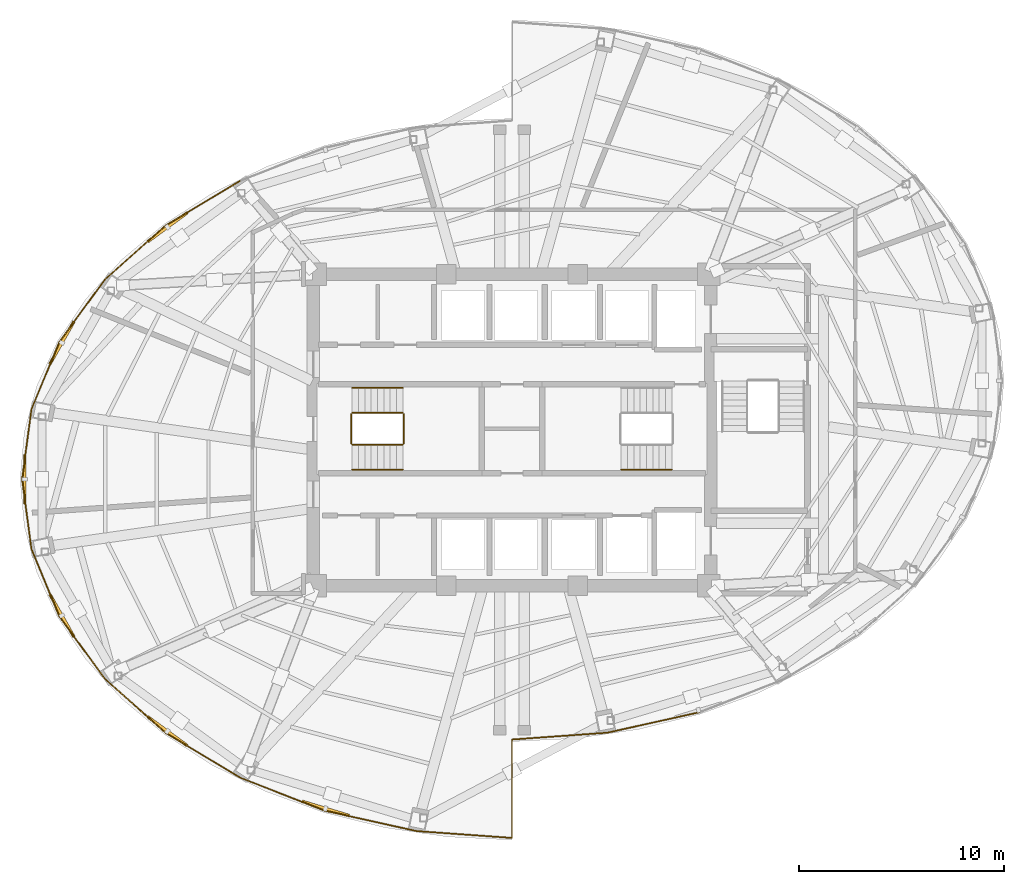
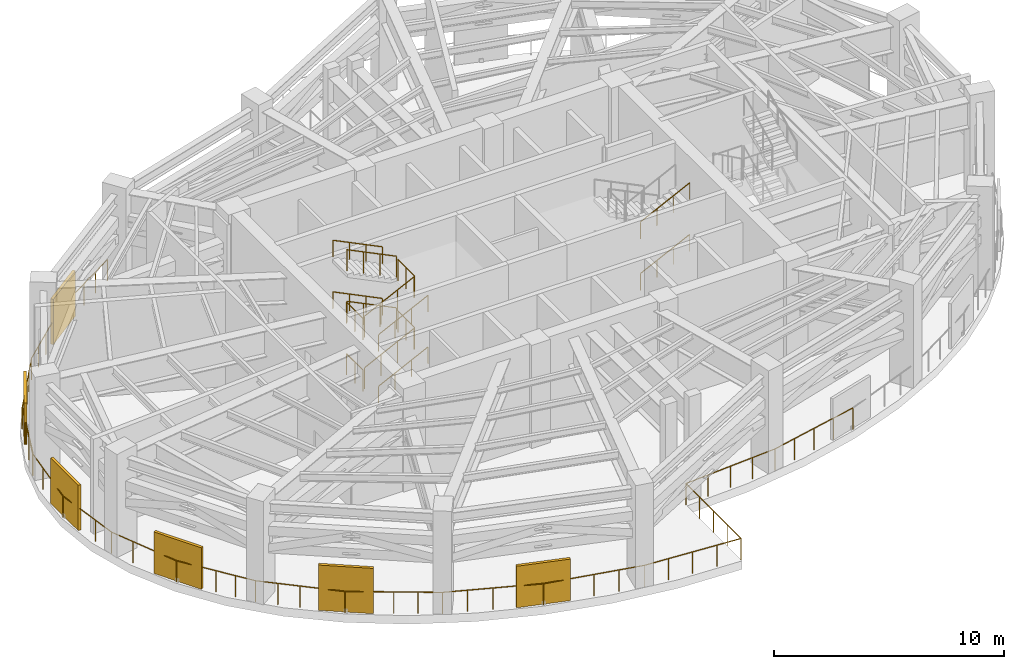
# One storey, part 10 of 12: 30 railings, 6 shading devices.
"""IFC4 building model written with IfcOpenShell, lengths in metres."""

from ifc_helpers import new_model, si_unit, direction, frame, origin, origin_2d, place, context, subcontext, project, spatial, rectangle, circle, extrude, material, type_object, element, save


model = new_model("IFC4")

# Units and contexts
model_context = context("Model", 3, precision=1e-05, world=origin(), true_north=direction((0.0, 1.0)))
body_context = subcontext(model_context, "Body", "Model", "MODEL_VIEW")
ifc_project = project(units=[si_unit("LENGTHUNIT", "METRE"), si_unit("AREAUNIT", "SQUARE_METRE"), si_unit("VOLUMEUNIT", "CUBIC_METRE"), si_unit("PLANEANGLEUNIT", "RADIAN"), si_unit("MASSUNIT", "GRAM", prefix="KILO")], contexts=[model_context])

# Site, building, storey
site_placement = place(None, origin())
site = spatial("IfcSite", under=ifc_project, at=site_placement, CompositionType="ELEMENT")
building_placement = place(site_placement, origin())
building = spatial("IfcBuilding", under=site, at=building_placement, Name="Lazwardi Medical Tower", CompositionType="ELEMENT")
storey_placement = place(building_placement, frame((0.0, 0.0, 189.360107421875)))
storey = spatial("IfcBuildingStorey", under=building, at=storey_placement, Name="L49", CompositionType="ELEMENT", Elevation=189.360107421875)

# Railings
ifc_material_1 = material(Name="Anodised bronze aluminium", Category="aluminium")
railing_type_1 = type_object("IfcRailingType", Name="RLG-BAL-1100", PredefinedType="BALUSTRADE", material=ifc_material_1)
railing_1_placement = place(storey_placement, frame((36.0, 12.89990234375, 0.0)))
element("IfcRailing", 1, at=railing_1_placement, inside=storey, type_object=railing_type_1, Name="L49 Refuge Band Perimeter Balustrade 01", PredefinedType="BALUSTRADE", context=body_context, shape_type="SweptSolid", body=[
    extrude(circle(Radius=0.02392578125, at=origin_2d()), frame((0.0, 0.0, 1.1259765625), z_axis=(0.997407009536, 0.071967057239, 0.0), x_axis=(-0.071967057239, 0.997407009536, 0.0)), (0.0, 0.0, 1.0), 4.6748046875),
    extrude(circle(Radius=0.02099609375, at=origin_2d()), origin(), (0.0, 0.0, 1.0), 1.099853515625),
    extrude(circle(Radius=0.02099609375, at=origin_2d()), frame((1.16552734375, 0.083984375, 0.0)), (0.0, 0.0, 1.0), 1.099853515625),
    extrude(circle(Radius=0.02099609375, at=origin_2d()), frame((2.331298828125, 0.168212890625, 0.0)), (0.0, 0.0, 1.0), 1.099853515625),
    extrude(circle(Radius=0.02099609375, at=origin_2d()), frame((3.4970703125, 0.25244140625, 0.0)), (0.0, 0.0, 1.0), 1.099853515625),
    extrude(circle(Radius=0.02099609375, at=origin_2d()), frame((4.66259765625, 0.33642578125, 0.0)), (0.0, 0.0, 1.0), 1.099853515625),
])
railing_2_placement = place(storey_placement, frame((40.66259765625, 13.236328125, 0.0)))
element("IfcRailing", 2, at=railing_2_placement, inside=storey, type_object=railing_type_1, Name="L49 Refuge Band Perimeter Balustrade 02", PredefinedType="BALUSTRADE", context=body_context, shape_type="SweptSolid", body=[
    extrude(circle(Radius=0.02392578125, at=origin_2d()), frame((0.0, 0.0, 1.1259765625), z_axis=(0.976208319017, 0.216834770925, 0.0), x_axis=(-0.216834770925, 0.976208319017, 0.0)), (0.0, 0.0, 1.0), 4.5927734375),
    extrude(circle(Radius=0.02099609375, at=origin_2d()), origin(), (0.0, 0.0, 1.0), 1.099853515625),
    extrude(circle(Radius=0.02099609375, at=origin_2d()), frame((1.120849609375, 0.2490234375, 0.0)), (0.0, 0.0, 1.0), 1.099853515625),
    extrude(circle(Radius=0.02099609375, at=origin_2d()), frame((2.24169921875, 0.498046875, 0.0)), (0.0, 0.0, 1.0), 1.099853515625),
    extrude(circle(Radius=0.02099609375, at=origin_2d()), frame((3.362548828125, 0.746826171875, 0.0)), (0.0, 0.0, 1.0), 1.099853515625),
    extrude(circle(Radius=0.02099609375, at=origin_2d()), frame((4.4833984375, 0.995849609375, 0.0)), (0.0, 0.0, 1.0), 1.099853515625),
])
railing_3_placement = place(storey_placement, frame((22.721923828125, 40.150634765625, 0.0)))
element("IfcRailing", 3, at=railing_3_placement, inside=storey, type_object=railing_type_1, Name="L49 Refuge Band Perimeter Balustrade 21", PredefinedType="BALUSTRADE", context=body_context, shape_type="SweptSolid", body=[
    extrude(circle(Radius=0.02392578125, at=origin_2d()), frame((0.0, 0.0, 1.1259765625), z_axis=(-0.857161364458, -0.51504795435, 0.0), x_axis=(0.51504795435, -0.857161364458, 0.0)), (0.0, 0.0, 1.0), 4.225341796875),
    extrude(circle(Radius=0.02099609375, at=origin_2d()), origin(), (0.0, 0.0, 1.0), 1.099853515625),
    extrude(circle(Radius=0.02099609375, at=origin_2d()), frame((-0.905517578125, -0.5439453125, 0.0)), (0.0, 0.0, 1.0), 1.099853515625),
    extrude(circle(Radius=0.02099609375, at=origin_2d()), frame((-1.81103515625, -1.088134765625, 0.0)), (0.0, 0.0, 1.0), 1.099853515625),
    extrude(circle(Radius=0.02099609375, at=origin_2d()), frame((-2.71630859375, -1.63232421875, 0.0)), (0.0, 0.0, 1.0), 1.099853515625),
    extrude(circle(Radius=0.02099609375, at=origin_2d()), frame((-3.621826171875, -2.17626953125, 0.0)), (0.0, 0.0, 1.0), 1.099853515625),
])
railing_4_placement = place(storey_placement, frame((19.10009765625, 37.974365234375, 0.0)))
element("IfcRailing", 4, at=railing_4_placement, inside=storey, type_object=railing_type_1, Name="L49 Refuge Band Perimeter Balustrade 22", PredefinedType="BALUSTRADE", context=body_context, shape_type="SweptSolid", body=[
    extrude(circle(Radius=0.02392578125, at=origin_2d()), frame((0.0, 0.0, 1.1259765625), z_axis=(-0.746170343463, -0.665755073985, 0.0), x_axis=(0.665755073985, -0.746170343463, 0.0)), (0.0, 0.0, 1.0), 3.983154296875),
    extrude(circle(Radius=0.02099609375, at=origin_2d()), origin(), (0.0, 0.0, 1.0), 1.099853515625),
    extrude(circle(Radius=0.02099609375, at=origin_2d()), frame((-0.7431640625, -0.6630859375, 0.0)), (0.0, 0.0, 1.0), 1.099853515625),
    extrude(circle(Radius=0.02099609375, at=origin_2d()), frame((-1.486083984375, -1.325927734375, 0.0)), (0.0, 0.0, 1.0), 1.099853515625),
    extrude(circle(Radius=0.02099609375, at=origin_2d()), frame((-2.22900390625, -1.98876953125, 0.0)), (0.0, 0.0, 1.0), 1.099853515625),
    extrude(circle(Radius=0.02099609375, at=origin_2d()), frame((-2.97216796875, -2.65185546875, 0.0)), (0.0, 0.0, 1.0), 1.099853515625),
])
railing_5_placement = place(storey_placement, frame((16.1279296875, 35.322509765625, 0.0)))
element("IfcRailing", 5, at=railing_5_placement, inside=storey, type_object=railing_type_1, Name="L49 Refuge Band Perimeter Balustrade 23", PredefinedType="BALUSTRADE", context=body_context, shape_type="SweptSolid", body=[
    extrude(circle(Radius=0.02392578125, at=origin_2d()), frame((0.0, 0.0, 1.1259765625), z_axis=(-0.589647217937, -0.807660917947, 0.0), x_axis=(0.807660917947, -0.589647217937, 0.0)), (0.0, 0.0, 1.0), 3.745849609375),
    extrude(circle(Radius=0.02099609375, at=origin_2d()), origin(), (0.0, 0.0, 1.0), 1.099853515625),
    extrude(circle(Radius=0.02099609375, at=origin_2d()), frame((-0.55224609375, -0.75634765625, 0.0)), (0.0, 0.0, 1.0), 1.099853515625),
    extrude(circle(Radius=0.02099609375, at=origin_2d()), frame((-1.1044921875, -1.5126953125, 0.0)), (0.0, 0.0, 1.0), 1.099853515625),
    extrude(circle(Radius=0.02099609375, at=origin_2d()), frame((-1.656494140625, -2.26904296875, 0.0)), (0.0, 0.0, 1.0), 1.099853515625),
    extrude(circle(Radius=0.02099609375, at=origin_2d()), frame((-2.208740234375, -3.025390625, 0.0)), (0.0, 0.0, 1.0), 1.099853515625),
])
railing_6_placement = place(storey_placement, frame((13.919189453125, 32.297119140625, 0.0)))
element("IfcRailing", 6, at=railing_6_placement, inside=storey, type_object=railing_type_1, Name="L49 Refuge Band Perimeter Balustrade 24", PredefinedType="BALUSTRADE", context=body_context, shape_type="SweptSolid", body=[
    extrude(circle(Radius=0.02392578125, at=origin_2d()), frame((0.0, 0.0, 1.1259765625), z_axis=(-0.382746191668, -0.923853534259, 0.0), x_axis=(0.923853534259, -0.382746191668, 0.0)), (0.0, 0.0, 1.0), 3.553466796875),
    extrude(circle(Radius=0.02099609375, at=origin_2d()), origin(), (0.0, 0.0, 1.0), 1.099853515625),
    extrude(circle(Radius=0.02099609375, at=origin_2d()), frame((-0.453369140625, -1.09423828125, 0.0)), (0.0, 0.0, 1.0), 1.099853515625),
    extrude(circle(Radius=0.02099609375, at=origin_2d()), frame((-0.90673828125, -2.188720703125, 0.0)), (0.0, 0.0, 1.0), 1.099853515625),
    extrude(circle(Radius=0.02099609375, at=origin_2d()), frame((-1.360107421875, -3.282958984375, 0.0)), (0.0, 0.0, 1.0), 1.099853515625),
])
railing_7_placement = place(storey_placement, frame((12.55908203125, 29.01416015625, 0.0)))
element("IfcRailing", 7, at=railing_7_placement, inside=storey, type_object=railing_type_1, Name="L49 Refuge Band Perimeter Balustrade 25", PredefinedType="BALUSTRADE", context=body_context, shape_type="SweptSolid", body=[
    extrude(circle(Radius=0.02392578125, at=origin_2d()), frame((0.0, 0.0, 1.1259765625), z_axis=(-0.133240659391, -0.991083713258, 0.0), x_axis=(0.991083713258, -0.133240659391, 0.0)), (0.0, 0.0, 1.0), 3.44482421875),
    extrude(circle(Radius=0.02099609375, at=origin_2d()), origin(), (0.0, 0.0, 1.0), 1.099853515625),
    extrude(circle(Radius=0.02099609375, at=origin_2d()), frame((-0.153076171875, -1.137939453125, 0.0)), (0.0, 0.0, 1.0), 1.099853515625),
    extrude(circle(Radius=0.02099609375, at=origin_2d()), frame((-0.305908203125, -2.276123046875, 0.0)), (0.0, 0.0, 1.0), 1.099853515625),
    extrude(circle(Radius=0.02099609375, at=origin_2d()), frame((-0.458984375, -3.4140625, 0.0)), (0.0, 0.0, 1.0), 1.099853515625),
])
railing_8_placement = place(storey_placement, frame((12.10009765625, 25.60009765625, 0.0)))
element("IfcRailing", 8, at=railing_8_placement, inside=storey, type_object=railing_type_1, Name="L49 Refuge Band Perimeter Balustrade 26", PredefinedType="BALUSTRADE", context=body_context, shape_type="SweptSolid", body=[
    extrude(circle(Radius=0.02392578125, at=origin_2d()), frame((0.0, 0.0, 1.1259765625), z_axis=(0.133231301116, -0.991084971333, 0.0), x_axis=(0.991084971333, 0.133231301116, 0.0)), (0.0, 0.0, 1.0), 3.445068359375),
    extrude(circle(Radius=0.02099609375, at=origin_2d()), origin(), (0.0, 0.0, 1.0), 1.099853515625),
    extrude(circle(Radius=0.02099609375, at=origin_2d()), frame((0.153076171875, -1.13818359375, 0.0)), (0.0, 0.0, 1.0), 1.099853515625),
    extrude(circle(Radius=0.02099609375, at=origin_2d()), frame((0.305908203125, -2.276123046875, 0.0)), (0.0, 0.0, 1.0), 1.099853515625),
    extrude(circle(Radius=0.02099609375, at=origin_2d()), frame((0.458984375, -3.414306640625, 0.0)), (0.0, 0.0, 1.0), 1.099853515625),
])
railing_9_placement = place(storey_placement, frame((12.55908203125, 22.185791015625, 0.0)))
element("IfcRailing", 9, at=railing_9_placement, inside=storey, type_object=railing_type_1, Name="L49 Refuge Band Perimeter Balustrade 27", PredefinedType="BALUSTRADE", context=body_context, shape_type="SweptSolid", body=[
    extrude(circle(Radius=0.02392578125, at=origin_2d()), frame((0.0, 0.0, 1.1259765625), z_axis=(0.382770486669, -0.923843468633, 0.0), x_axis=(0.923843468633, 0.382770486669, 0.0)), (0.0, 0.0, 1.0), 3.55322265625),
    extrude(circle(Radius=0.02099609375, at=origin_2d()), origin(), (0.0, 0.0, 1.0), 1.099853515625),
    extrude(circle(Radius=0.02099609375, at=origin_2d()), frame((0.453369140625, -1.09423828125, 0.0)), (0.0, 0.0, 1.0), 1.099853515625),
    extrude(circle(Radius=0.02099609375, at=origin_2d()), frame((0.90673828125, -2.1884765625, 0.0)), (0.0, 0.0, 1.0), 1.099853515625),
    extrude(circle(Radius=0.02099609375, at=origin_2d()), frame((1.360107421875, -3.28271484375, 0.0)), (0.0, 0.0, 1.0), 1.099853515625),
])
railing_10_placement = place(storey_placement, frame((13.919189453125, 18.903076171875, 0.0)))
element("IfcRailing", 10, at=railing_10_placement, inside=storey, type_object=railing_type_1, Name="L49 Refuge Band Perimeter Balustrade 28", PredefinedType="BALUSTRADE", context=body_context, shape_type="SweptSolid", body=[
    extrude(circle(Radius=0.02392578125, at=origin_2d()), frame((0.0, 0.0, 1.1259765625), z_axis=(0.589616180045, -0.807683576798, 0.0), x_axis=(0.807683576798, 0.589616180045, 0.0)), (0.0, 0.0, 1.0), 3.74609375),
    extrude(circle(Radius=0.02099609375, at=origin_2d()), origin(), (0.0, 0.0, 1.0), 1.099853515625),
    extrude(circle(Radius=0.02099609375, at=origin_2d()), frame((0.55224609375, -0.75634765625, 0.0)), (0.0, 0.0, 1.0), 1.099853515625),
    extrude(circle(Radius=0.02099609375, at=origin_2d()), frame((1.1044921875, -1.5126953125, 0.0)), (0.0, 0.0, 1.0), 1.099853515625),
    extrude(circle(Radius=0.02099609375, at=origin_2d()), frame((1.656494140625, -2.269287109375, 0.0)), (0.0, 0.0, 1.0), 1.099853515625),
    extrude(circle(Radius=0.02099609375, at=origin_2d()), frame((2.208740234375, -3.025634765625, 0.0)), (0.0, 0.0, 1.0), 1.099853515625),
])
railing_11_placement = place(storey_placement, frame((16.1279296875, 15.87744140625, 0.0)))
element("IfcRailing", 11, at=railing_11_placement, inside=storey, type_object=railing_type_1, Name="L49 Refuge Band Perimeter Balustrade 29", PredefinedType="BALUSTRADE", context=body_context, shape_type="SweptSolid", body=[
    extrude(circle(Radius=0.02392578125, at=origin_2d()), frame((0.0, 0.0, 1.1259765625), z_axis=(0.746170343463, -0.665755073985, 0.0), x_axis=(0.665755073985, 0.746170343463, 0.0)), (0.0, 0.0, 1.0), 3.983154296875),
    extrude(circle(Radius=0.02099609375, at=origin_2d()), origin(), (0.0, 0.0, 1.0), 1.099853515625),
    extrude(circle(Radius=0.02099609375, at=origin_2d()), frame((0.7431640625, -0.6630859375, 0.0)), (0.0, 0.0, 1.0), 1.099853515625),
    extrude(circle(Radius=0.02099609375, at=origin_2d()), frame((1.486083984375, -1.325927734375, 0.0)), (0.0, 0.0, 1.0), 1.099853515625),
    extrude(circle(Radius=0.02099609375, at=origin_2d()), frame((2.22900390625, -1.98876953125, 0.0)), (0.0, 0.0, 1.0), 1.099853515625),
    extrude(circle(Radius=0.02099609375, at=origin_2d()), frame((2.97216796875, -2.65185546875, 0.0)), (0.0, 0.0, 1.0), 1.099853515625),
])
railing_12_placement = place(storey_placement, frame((19.10009765625, 13.2255859375, 0.0)))
element("IfcRailing", 12, at=railing_12_placement, inside=storey, type_object=railing_type_1, Name="L49 Refuge Band Perimeter Balustrade 30", PredefinedType="BALUSTRADE", context=body_context, shape_type="SweptSolid", body=[
    extrude(circle(Radius=0.02392578125, at=origin_2d()), frame((0.0, 0.0, 1.1259765625), z_axis=(0.857161364458, -0.51504795435, 0.0), x_axis=(0.51504795435, 0.857161364458, 0.0)), (0.0, 0.0, 1.0), 4.225341796875),
    extrude(circle(Radius=0.02099609375, at=origin_2d()), origin(), (0.0, 0.0, 1.0), 1.099853515625),
    extrude(circle(Radius=0.02099609375, at=origin_2d()), frame((0.905517578125, -0.5439453125, 0.0)), (0.0, 0.0, 1.0), 1.099853515625),
    extrude(circle(Radius=0.02099609375, at=origin_2d()), frame((1.81103515625, -1.088134765625, 0.0)), (0.0, 0.0, 1.0), 1.099853515625),
    extrude(circle(Radius=0.02099609375, at=origin_2d()), frame((2.71630859375, -1.63232421875, 0.0)), (0.0, 0.0, 1.0), 1.099853515625),
    extrude(circle(Radius=0.02099609375, at=origin_2d()), frame((3.621826171875, -2.17626953125, 0.0)), (0.0, 0.0, 1.0), 1.099853515625),
])
railing_13_placement = place(storey_placement, frame((22.721923828125, 11.04931640625, 0.0)))
element("IfcRailing", 13, at=railing_13_placement, inside=storey, type_object=railing_type_1, Name="L49 Refuge Band Perimeter Balustrade 31", PredefinedType="BALUSTRADE", context=body_context, shape_type="SweptSolid", body=[
    extrude(circle(Radius=0.02392578125, at=origin_2d()), frame((0.0, 0.0, 1.1259765625), z_axis=(0.931220860045, -0.364455360528, 0.0), x_axis=(0.364455360528, 0.931220860045, 0.0)), (0.0, 0.0, 1.0), 4.437255859375),
    extrude(circle(Radius=0.02099609375, at=origin_2d()), origin(), (0.0, 0.0, 1.0), 1.099853515625),
    extrude(circle(Radius=0.02099609375, at=origin_2d()), frame((1.032958984375, -0.404296875, 0.0)), (0.0, 0.0, 1.0), 1.099853515625),
    extrude(circle(Radius=0.02099609375, at=origin_2d()), frame((2.06591796875, -0.80859375, 0.0)), (0.0, 0.0, 1.0), 1.099853515625),
    extrude(circle(Radius=0.02099609375, at=origin_2d()), frame((3.09912109375, -1.212890625, 0.0)), (0.0, 0.0, 1.0), 1.099853515625),
    extrude(circle(Radius=0.02099609375, at=origin_2d()), frame((4.132080078125, -1.6171875, 0.0)), (0.0, 0.0, 1.0), 1.099853515625),
])
railing_14_placement = place(storey_placement, frame((26.85400390625, 9.43212890625, 0.0)))
element("IfcRailing", 14, at=railing_14_placement, inside=storey, type_object=railing_type_1, Name="L49 Refuge Band Perimeter Balustrade 32", PredefinedType="BALUSTRADE", context=body_context, shape_type="SweptSolid", body=[
    extrude(circle(Radius=0.02392578125, at=origin_2d()), frame((0.0, 0.0, 1.1259765625), z_axis=(0.976208319017, -0.216834770925, 0.0), x_axis=(0.216834770925, 0.976208319017, 0.0)), (0.0, 0.0, 1.0), 4.5927734375),
    extrude(circle(Radius=0.02099609375, at=origin_2d()), origin(), (0.0, 0.0, 1.0), 1.099853515625),
    extrude(circle(Radius=0.02099609375, at=origin_2d()), frame((1.120849609375, -0.2490234375, 0.0)), (0.0, 0.0, 1.0), 1.099853515625),
    extrude(circle(Radius=0.02099609375, at=origin_2d()), frame((2.24169921875, -0.498046875, 0.0)), (0.0, 0.0, 1.0), 1.099853515625),
    extrude(circle(Radius=0.02099609375, at=origin_2d()), frame((3.362548828125, -0.746826171875, 0.0)), (0.0, 0.0, 1.0), 1.099853515625),
    extrude(circle(Radius=0.02099609375, at=origin_2d()), frame((4.4833984375, -0.995849609375, 0.0)), (0.0, 0.0, 1.0), 1.099853515625),
])
railing_15_placement = place(storey_placement, frame((31.33740234375, 8.436279296875, 0.0)))
element("IfcRailing", 15, at=railing_15_placement, inside=storey, type_object=railing_type_1, Name="L49 Refuge Band Perimeter Balustrade 33", PredefinedType="BALUSTRADE", context=body_context, shape_type="SweptSolid", body=[
    extrude(circle(Radius=0.02392578125, at=origin_2d()), frame((0.0, 0.0, 1.1259765625), z_axis=(0.997410756984, -0.071915101705, 0.0), x_axis=(0.071915101705, 0.997410756984, 0.0)), (0.0, 0.0, 1.0), 4.6748046875),
    extrude(circle(Radius=0.02099609375, at=origin_2d()), origin(), (0.0, 0.0, 1.0), 1.099853515625),
    extrude(circle(Radius=0.02099609375, at=origin_2d()), frame((1.16552734375, -0.083984375, 0.0)), (0.0, 0.0, 1.0), 1.099853515625),
    extrude(circle(Radius=0.02099609375, at=origin_2d()), frame((2.331298828125, -0.16796875, 0.0)), (0.0, 0.0, 1.0), 1.099853515625),
    extrude(circle(Radius=0.02099609375, at=origin_2d()), frame((3.4970703125, -0.252197265625, 0.0)), (0.0, 0.0, 1.0), 1.099853515625),
    extrude(circle(Radius=0.02099609375, at=origin_2d()), frame((4.66259765625, -0.336181640625, 0.0)), (0.0, 0.0, 1.0), 1.099853515625),
])
railing_16_placement = place(storey_placement, frame((36.0, 8.10009765625, 0.0)))
element("IfcRailing", 16, at=railing_16_placement, inside=storey, type_object=railing_type_1, Name="L49 Refuge Band Perimeter Balustrade 34", PredefinedType="BALUSTRADE", context=body_context, shape_type="SweptSolid", body=[
    extrude(circle(Radius=0.02392578125, at=origin_2d()), frame((0.0, 0.0, 1.1259765625), z_axis=(0.0, 1.0, 0.0), x_axis=(-1.0, 0.0, 0.0)), (0.0, 0.0, 1.0), 4.7998046875),
    extrude(circle(Radius=0.02099609375, at=origin_2d()), origin(), (0.0, 0.0, 1.0), 1.099853515625),
    extrude(circle(Radius=0.02099609375, at=origin_2d()), frame((0.0, 1.199951171875, 0.0)), (0.0, 0.0, 1.0), 1.099853515625),
    extrude(circle(Radius=0.02099609375, at=origin_2d()), frame((0.0, 2.39990234375, 0.0)), (0.0, 0.0, 1.0), 1.099853515625),
    extrude(circle(Radius=0.02099609375, at=origin_2d()), frame((0.0, 3.599853515625, 0.0)), (0.0, 0.0, 1.0), 1.099853515625),
    extrude(circle(Radius=0.02099609375, at=origin_2d()), frame((0.0, 4.7998046875, 0.0)), (0.0, 0.0, 1.0), 1.099853515625),
])
ifc_material_2 = material(Name="Stainless steel Grade 316", Category="steel")
railing_type_2 = type_object("IfcRailingType", Name="RLG-GRD-1150", PredefinedType="GUARDRAIL", material=ifc_material_2)
railing_17_placement = place(storey_placement, frame((28.199951171875, 27.2900390625, 0.15185546875)))
element("IfcRailing", 17, at=railing_17_placement, inside=storey, type_object=railing_type_2, Name="L49 ST1 stair guard 1", PredefinedType="GUARDRAIL", context=body_context, shape_type="SweptSolid", body=[
    extrude(circle(Radius=0.02392578125, at=origin_2d()), frame((0.0, 0.0, 1.1259765625), z_axis=(0.897865232124, 0.0, 0.440270399804), x_axis=(0.0, 1.0, 0.0)), (0.0, 0.0, 1.0), 2.76220703125),
    extrude(circle(Radius=0.02099609375, at=origin_2d()), origin(), (0.0, 0.0, 1.0), 1.099853515625),
    extrude(circle(Radius=0.02099609375, at=origin_2d()), frame((0.82666015625, 0.0, 0.4052734375)), (0.0, 0.0, 1.0), 1.099853515625),
    extrude(circle(Radius=0.02099609375, at=origin_2d()), frame((1.6533203125, 0.0, 0.810791015625)), (0.0, 0.0, 1.0), 1.099853515625),
    extrude(circle(Radius=0.02099609375, at=origin_2d()), frame((2.47998046875, 0.0, 1.216064453125)), (0.0, 0.0, 1.0), 1.099853515625),
])
railing_18_placement = place(storey_placement, frame((30.72998046875, 27.340087890625, 1.367919921875)))
element("IfcRailing", 18, at=railing_18_placement, inside=storey, type_object=railing_type_2, Name="L49 ST1 stair guard 2", PredefinedType="GUARDRAIL", context=body_context, shape_type="SweptSolid", body=[
    extrude(circle(Radius=0.02392578125, at=origin_2d()), frame((0.0, 0.0, 1.1259765625), z_axis=(0.0, 1.0, 0.0), x_axis=(-1.0, 0.0, 0.0)), (0.0, 0.0, 1.0), 1.43994140625),
    extrude(circle(Radius=0.02099609375, at=origin_2d()), origin(), (0.0, 0.0, 1.0), 1.099853515625),
    extrude(circle(Radius=0.02099609375, at=origin_2d()), frame((0.0, 0.719970703125, 0.0)), (0.0, 0.0, 1.0), 1.099853515625),
    extrude(circle(Radius=0.02099609375, at=origin_2d()), frame((0.0, 1.43994140625, 0.0)), (0.0, 0.0, 1.0), 1.099853515625),
])
railing_19_placement = place(storey_placement, frame((30.679931640625, 28.830078125, 1.519775390625)))
element("IfcRailing", 19, at=railing_19_placement, inside=storey, type_object=railing_type_2, Name="L49 ST1 stair guard 3", PredefinedType="GUARDRAIL", context=body_context, shape_type="SweptSolid", body=[
    extrude(circle(Radius=0.02392578125, at=origin_2d()), frame((0.0, 0.0, 1.1259765625), z_axis=(-0.897865232124, 0.0, 0.440270399804), x_axis=(0.0, -1.0, 0.0)), (0.0, 0.0, 1.0), 2.76220703125),
    extrude(circle(Radius=0.02099609375, at=origin_2d()), origin(), (0.0, 0.0, 1.0), 1.099853515625),
    extrude(circle(Radius=0.02099609375, at=origin_2d()), frame((-0.82666015625, 0.0, 0.4052734375)), (0.0, 0.0, 1.0), 1.099853515625),
    extrude(circle(Radius=0.02099609375, at=origin_2d()), frame((-1.6533203125, 0.0, 0.810791015625)), (0.0, 0.0, 1.0), 1.099853515625),
    extrude(circle(Radius=0.02099609375, at=origin_2d()), frame((-2.47998046875, 0.0, 1.216064453125)), (0.0, 0.0, 1.0), 1.099853515625),
])
railing_20_placement = place(storey_placement, frame((28.14990234375, 27.340087890625, 2.73583984375)))
element("IfcRailing", 20, at=railing_20_placement, inside=storey, type_object=railing_type_2, Name="L49 ST1 stair guard 4", PredefinedType="GUARDRAIL", context=body_context, shape_type="SweptSolid", body=[
    extrude(circle(Radius=0.02392578125, at=origin_2d()), frame((0.0, 0.0, 1.1259765625), z_axis=(0.0, 1.0, 0.0), x_axis=(-1.0, 0.0, 0.0)), (0.0, 0.0, 1.0), 1.43994140625),
    extrude(circle(Radius=0.02099609375, at=origin_2d()), origin(), (0.0, 0.0, 1.0), 1.099853515625),
    extrude(circle(Radius=0.02099609375, at=origin_2d()), frame((0.0, 0.719970703125, 0.0)), (0.0, 0.0, 1.0), 1.099853515625),
    extrude(circle(Radius=0.02099609375, at=origin_2d()), frame((0.0, 1.43994140625, 0.0)), (0.0, 0.0, 1.0), 1.099853515625),
])
railing_21_placement = place(storey_placement, frame((28.199951171875, 27.2900390625, 2.887939453125)))
element("IfcRailing", 21, at=railing_21_placement, inside=storey, type_object=railing_type_2, Name="L49 ST1 stair guard 5", PredefinedType="GUARDRAIL", context=body_context, shape_type="SweptSolid", body=[
    extrude(circle(Radius=0.02392578125, at=origin_2d()), frame((0.0, 0.0, 1.1259765625), z_axis=(0.897865232124, 0.0, 0.440270399804), x_axis=(0.0, 1.0, 0.0)), (0.0, 0.0, 1.0), 2.76220703125),
    extrude(circle(Radius=0.02099609375, at=origin_2d()), origin(), (0.0, 0.0, 1.0), 1.099853515625),
    extrude(circle(Radius=0.02099609375, at=origin_2d()), frame((0.82666015625, 0.0, 0.4052734375)), (0.0, 0.0, 1.0), 1.099853515625),
    extrude(circle(Radius=0.02099609375, at=origin_2d()), frame((1.6533203125, 0.0, 0.810791015625)), (0.0, 0.0, 1.0), 1.099853515625),
    extrude(circle(Radius=0.02099609375, at=origin_2d()), frame((2.47998046875, 0.0, 1.216064453125)), (0.0, 0.0, 1.0), 1.099853515625),
])
railing_22_placement = place(storey_placement, frame((30.72998046875, 27.340087890625, 4.10400390625)))
element("IfcRailing", 22, at=railing_22_placement, inside=storey, type_object=railing_type_2, Name="L49 ST1 stair guard 6", PredefinedType="GUARDRAIL", context=body_context, shape_type="SweptSolid", body=[
    extrude(circle(Radius=0.02392578125, at=origin_2d()), frame((0.0, 0.0, 1.1259765625), z_axis=(0.0, 1.0, 0.0), x_axis=(-1.0, 0.0, 0.0)), (0.0, 0.0, 1.0), 1.43994140625),
    extrude(circle(Radius=0.02099609375, at=origin_2d()), origin(), (0.0, 0.0, 1.0), 1.099853515625),
    extrude(circle(Radius=0.02099609375, at=origin_2d()), frame((0.0, 0.719970703125, 0.0)), (0.0, 0.0, 1.0), 1.099853515625),
    extrude(circle(Radius=0.02099609375, at=origin_2d()), frame((0.0, 1.43994140625, 0.0)), (0.0, 0.0, 1.0), 1.099853515625),
])
railing_23_placement = place(storey_placement, frame((30.679931640625, 28.830078125, 4.255859375)))
element("IfcRailing", 23, at=railing_23_placement, inside=storey, type_object=railing_type_2, Name="L49 ST1 stair guard 7", PredefinedType="GUARDRAIL", context=body_context, shape_type="SweptSolid", body=[
    extrude(circle(Radius=0.02392578125, at=origin_2d()), frame((0.0, 0.0, 1.1259765625), z_axis=(-0.897865232124, 0.0, 0.440270399804), x_axis=(0.0, -1.0, 0.0)), (0.0, 0.0, 1.0), 2.76220703125),
    extrude(circle(Radius=0.02099609375, at=origin_2d()), origin(), (0.0, 0.0, 1.0), 1.099853515625),
    extrude(circle(Radius=0.02099609375, at=origin_2d()), frame((-0.82666015625, 0.0, 0.4052734375)), (0.0, 0.0, 1.0), 1.099853515625),
    extrude(circle(Radius=0.02099609375, at=origin_2d()), frame((-1.6533203125, 0.0, 0.810791015625)), (0.0, 0.0, 1.0), 1.099853515625),
    extrude(circle(Radius=0.02099609375, at=origin_2d()), frame((-2.47998046875, 0.0, 1.216064453125)), (0.0, 0.0, 1.0), 1.099853515625),
])
railing_24_placement = place(storey_placement, frame((28.14990234375, 27.340087890625, 0.0)))
element("IfcRailing", 24, at=railing_24_placement, inside=storey, type_object=railing_type_2, Name="L49 ST1 stair guard 8", PredefinedType="GUARDRAIL", context=body_context, shape_type="SweptSolid", body=[
    extrude(circle(Radius=0.02392578125, at=origin_2d()), frame((0.0, 0.0, 1.1259765625), z_axis=(0.0, 1.0, 0.0), x_axis=(-1.0, 0.0, 0.0)), (0.0, 0.0, 1.0), 1.43994140625),
    extrude(circle(Radius=0.02099609375, at=origin_2d()), origin(), (0.0, 0.0, 1.0), 1.099853515625),
    extrude(circle(Radius=0.02099609375, at=origin_2d()), frame((0.0, 0.719970703125, 0.0)), (0.0, 0.0, 1.0), 1.099853515625),
    extrude(circle(Radius=0.02099609375, at=origin_2d()), frame((0.0, 1.43994140625, 0.0)), (0.0, 0.0, 1.0), 1.099853515625),
])
railing_type_3 = type_object("IfcRailingType", Name="RLG-HND-920", PredefinedType="HANDRAIL", material=ifc_material_2)
railing_25_placement = place(storey_placement, frame((28.199951171875, 26.070068359375, 0.15185546875)))
element("IfcRailing", 25, at=railing_25_placement, inside=storey, type_object=railing_type_3, Name="L49 ST1 stair handrail 1", PredefinedType="HANDRAIL", context=body_context, shape_type="SweptSolid", body=[
    extrude(circle(Radius=0.02392578125, at=origin_2d()), frame((0.0, 0.0, 0.8857421875), z_axis=(0.897865232124, 0.0, 0.440270399804), x_axis=(0.0, 1.0, 0.0)), (0.0, 0.0, 1.0), 2.76220703125),
    extrude(circle(Radius=0.02099609375, at=origin_2d()), origin(), (0.0, 0.0, 1.0), 0.85986328125),
    extrude(circle(Radius=0.02099609375, at=origin_2d()), frame((0.82666015625, 0.0, 0.4052734375)), (0.0, 0.0, 1.0), 0.85986328125),
    extrude(circle(Radius=0.02099609375, at=origin_2d()), frame((1.6533203125, 0.0, 0.810791015625)), (0.0, 0.0, 1.0), 0.85986328125),
    extrude(circle(Radius=0.02099609375, at=origin_2d()), frame((2.47998046875, 0.0, 1.216064453125)), (0.0, 0.0, 1.0), 0.85986328125),
])
railing_26_placement = place(storey_placement, frame((30.679931640625, 30.050048828125, 1.519775390625)))
element("IfcRailing", 26, at=railing_26_placement, inside=storey, type_object=railing_type_3, Name="L49 ST1 stair handrail 2", PredefinedType="HANDRAIL", context=body_context, shape_type="SweptSolid", body=[
    extrude(circle(Radius=0.02392578125, at=origin_2d()), frame((0.0, 0.0, 0.8857421875), z_axis=(-0.897865232124, 0.0, 0.440270399804), x_axis=(0.0, -1.0, 0.0)), (0.0, 0.0, 1.0), 2.76220703125),
    extrude(circle(Radius=0.02099609375, at=origin_2d()), origin(), (0.0, 0.0, 1.0), 0.85986328125),
    extrude(circle(Radius=0.02099609375, at=origin_2d()), frame((-0.82666015625, 0.0, 0.4052734375)), (0.0, 0.0, 1.0), 0.85986328125),
    extrude(circle(Radius=0.02099609375, at=origin_2d()), frame((-1.6533203125, 0.0, 0.810791015625)), (0.0, 0.0, 1.0), 0.85986328125),
    extrude(circle(Radius=0.02099609375, at=origin_2d()), frame((-2.47998046875, 0.0, 1.216064453125)), (0.0, 0.0, 1.0), 0.85986328125),
])
railing_27_placement = place(storey_placement, frame((28.199951171875, 26.070068359375, 2.887939453125)))
element("IfcRailing", 27, at=railing_27_placement, inside=storey, type_object=railing_type_3, Name="L49 ST1 stair handrail 3", PredefinedType="HANDRAIL", context=body_context, shape_type="SweptSolid", body=[
    extrude(circle(Radius=0.02392578125, at=origin_2d()), frame((0.0, 0.0, 0.8857421875), z_axis=(0.897865232124, 0.0, 0.440270399804), x_axis=(0.0, 1.0, 0.0)), (0.0, 0.0, 1.0), 2.76220703125),
    extrude(circle(Radius=0.02099609375, at=origin_2d()), origin(), (0.0, 0.0, 1.0), 0.85986328125),
    extrude(circle(Radius=0.02099609375, at=origin_2d()), frame((0.82666015625, 0.0, 0.4052734375)), (0.0, 0.0, 1.0), 0.85986328125),
    extrude(circle(Radius=0.02099609375, at=origin_2d()), frame((1.6533203125, 0.0, 0.810791015625)), (0.0, 0.0, 1.0), 0.85986328125),
    extrude(circle(Radius=0.02099609375, at=origin_2d()), frame((2.47998046875, 0.0, 1.216064453125)), (0.0, 0.0, 1.0), 0.85986328125),
])
railing_28_placement = place(storey_placement, frame((30.679931640625, 30.050048828125, 4.255859375)))
element("IfcRailing", 28, at=railing_28_placement, inside=storey, type_object=railing_type_3, Name="L49 ST1 stair handrail 4", PredefinedType="HANDRAIL", context=body_context, shape_type="SweptSolid", body=[
    extrude(circle(Radius=0.02392578125, at=origin_2d()), frame((0.0, 0.0, 0.8857421875), z_axis=(-0.897865232124, 0.0, 0.440270399804), x_axis=(0.0, -1.0, 0.0)), (0.0, 0.0, 1.0), 2.76220703125),
    extrude(circle(Radius=0.02099609375, at=origin_2d()), origin(), (0.0, 0.0, 1.0), 0.85986328125),
    extrude(circle(Radius=0.02099609375, at=origin_2d()), frame((-0.82666015625, 0.0, 0.4052734375)), (0.0, 0.0, 1.0), 0.85986328125),
    extrude(circle(Radius=0.02099609375, at=origin_2d()), frame((-1.6533203125, 0.0, 0.810791015625)), (0.0, 0.0, 1.0), 0.85986328125),
    extrude(circle(Radius=0.02099609375, at=origin_2d()), frame((-2.47998046875, 0.0, 1.216064453125)), (0.0, 0.0, 1.0), 0.85986328125),
])
for number, where, name in (
    (29, (41.320068359375, 26.070068359375, 1.519775390625), "L49 ST2 stair handrail 2"),
    (30, (41.320068359375, 26.070068359375, 4.255859375), "L49 ST2 stair handrail 4"),
):
    element("IfcRailing", number, at=place(storey_placement, frame(where)), inside=storey, type_object=railing_type_3, Name=name, PredefinedType="HANDRAIL", context=body_context, shape_type="SweptSolid", body=[
        extrude(circle(Radius=0.02392578125, at=origin_2d()), frame((0.0, 0.0, 0.8857421875), z_axis=(0.897865232124, 0.0, 0.440270399804), x_axis=(0.0, 1.0, 0.0)), (0.0, 0.0, 1.0), 2.76220703125),
        extrude(circle(Radius=0.02099609375, at=origin_2d()), origin(), (0.0, 0.0, 1.0), 0.85986328125),
        extrude(circle(Radius=0.02099609375, at=origin_2d()), frame((0.82666015625, 0.0, 0.4052734375)), (0.0, 0.0, 1.0), 0.85986328125),
        extrude(circle(Radius=0.02099609375, at=origin_2d()), frame((1.6533203125, 0.0, 0.810791015625)), (0.0, 0.0, 1.0), 0.85986328125),
        extrude(circle(Radius=0.02099609375, at=origin_2d()), frame((2.47998046875, 0.0, 1.216064453125)), (0.0, 0.0, 1.0), 0.85986328125),
    ])

# Shading devices
ifc_material_3 = material(Name="Anodised bronze aluminium storm louvre", Category="aluminium")
shading_device_type_1 = type_object("IfcShadingDeviceType", Name="SHD-LVR-01", PredefinedType="JALOUSIE", material=ifc_material_3)
for number, where, z_axis, x_axis, name in (
    (31, (14.04248046875, 32.25341796875, 0.0), (0.0, 0.0, 1.0), (-0.49272582279, -0.87018461464, 0.0), "L49 Tropical Storm Louvre 11"),
    (32, (14.04248046875, 18.946533203125, 0.0), (0.0, 0.0, 1.0), (0.49272582279, -0.87018461464, 0.0), "L49 Tropical Storm Louvre 13"),
    (33, (26.90478515625, 9.537109375, 0.0), (0.0, 0.0, 1.0), (0.957032496358, -0.28998069059, 0.0), "L49 Tropical Storm Louvre 15"),
):
    element("IfcShadingDevice", number, at=place(storey_placement, frame(where, z_axis=z_axis, x_axis=x_axis)), inside=storey, type_object=shading_device_type_1, Name=name, PredefinedType="JALOUSIE", context=body_context, shape_type="SweptSolid", body=[
        extrude(rectangle(XDim=2.39990234375, YDim=0.139892578125, at=origin_2d()), origin(), (0.0, 0.0, 1.0), 2.199951171875),
    ])
ifc_material_4 = material(Name="Perforated bronze girih solar screen", Category="aluminium")
shading_device_type_2 = type_object("IfcShadingDeviceType", Name="SHD-SCR-01", PredefinedType="USERDEFINED", material=ifc_material_4)
for number, where, z_axis, x_axis, name in (
    (34, (19.194580078125, 37.89404296875, 0.0), (0.0, 0.0, 1.0), (-0.807100478393, -0.590414107028, 0.0), "L49 Bronze Girih Solar Screen 10"),
    (35, (12.2333984375, 25.60009765625, 0.0), (0.0, 0.0, 1.0), (0.0, -1.0, 0.0), "L49 Bronze Girih Solar Screen 12"),
    (36, (19.194580078125, 13.305908203125, 0.0), (0.0, 0.0, 1.0), (0.807100478393, -0.590414107028, 0.0), "L49 Bronze Girih Solar Screen 14"),
):
    element("IfcShadingDevice", number, at=place(storey_placement, frame(where, z_axis=z_axis, x_axis=x_axis)), inside=storey, type_object=shading_device_type_2, Name=name, ObjectType="SCREEN", PredefinedType="USERDEFINED", context=body_context, shape_type="SweptSolid", body=[
        extrude(rectangle(XDim=2.39990234375, YDim=0.139892578125, at=origin_2d()), origin(), (0.0, 0.0, 1.0), 2.39990234375),
    ])

save(model, "model.ifc")
